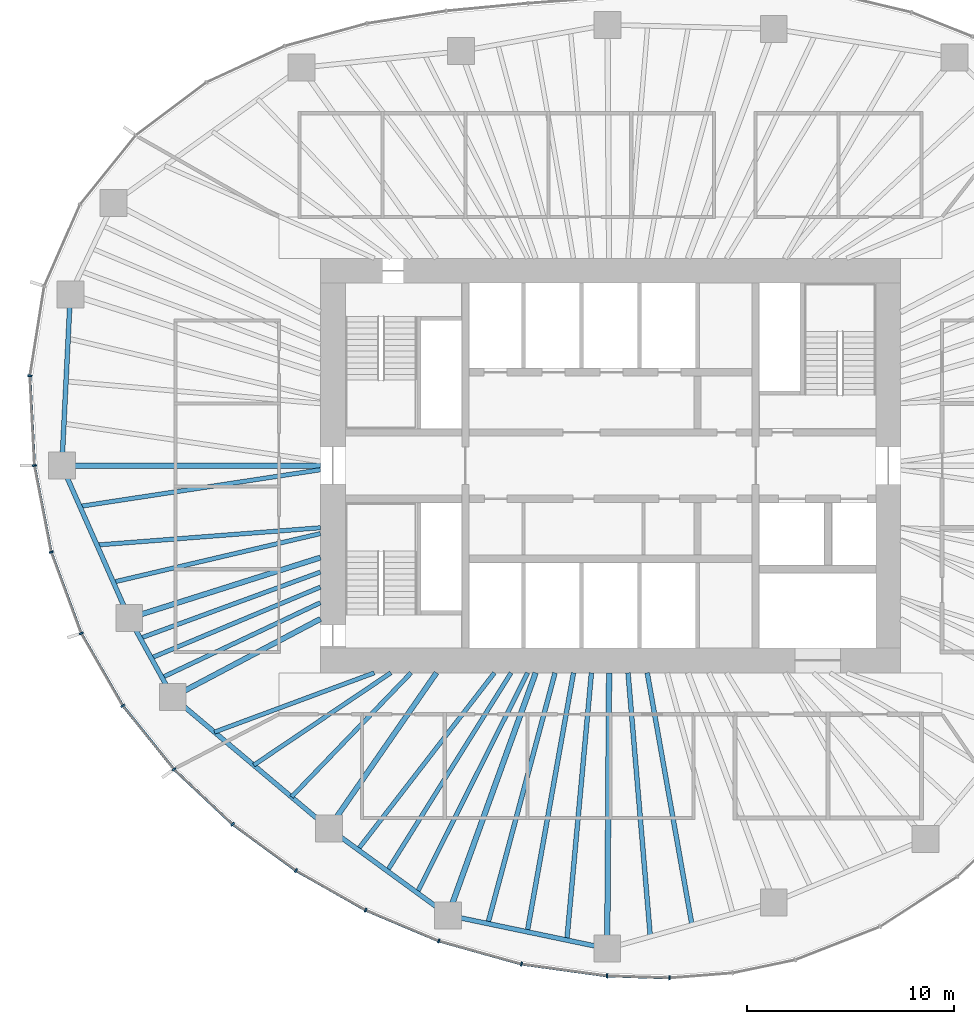
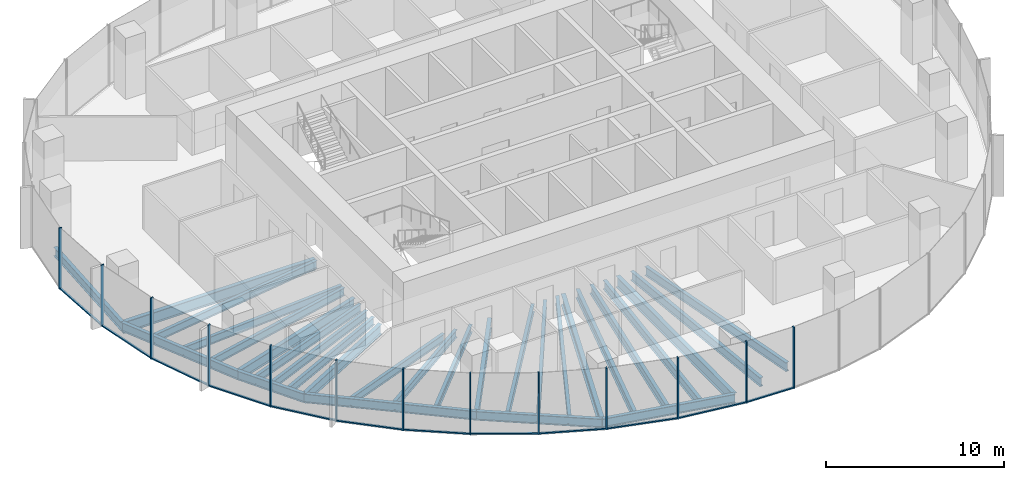
# One storey, part 2 of 12: 29 beams, 25 members, 7 elements without a shape of their own.
"""IFC4 building model written with IfcOpenShell, lengths in metres."""

from ifc_helpers import new_model, si_unit, direction, frame, origin, origin_2d, place, context, subcontext, project, spatial, rectangle, i_section, extrude, material, material_profile, profile_set, type_object, element, aggregate, save


model = new_model("IFC4")

# Units and contexts
model_context = context("Model", 3, precision=1e-05, world=origin(), true_north=direction((0.0, 1.0)))
body_context = subcontext(model_context, "Body", "Model", "MODEL_VIEW")
ifc_project = project(units=[si_unit("LENGTHUNIT", "METRE"), si_unit("AREAUNIT", "SQUARE_METRE"), si_unit("VOLUMEUNIT", "CUBIC_METRE"), si_unit("PLANEANGLEUNIT", "RADIAN"), si_unit("MASSUNIT", "GRAM", prefix="KILO")], contexts=[model_context])

# Site, building, storey
site_placement = place(None, origin())
site = spatial("IfcSite", under=ifc_project, at=site_placement, CompositionType="ELEMENT")
building_placement = place(site_placement, origin())
building = spatial("IfcBuilding", under=site, at=building_placement, Name="Ghaith Harvest Tower", CompositionType="ELEMENT")
storey_placement = place(building_placement, frame((0.0, 0.0, 207.39990234375)))
storey = spatial("IfcBuildingStorey", under=building, at=storey_placement, Name="L45", CompositionType="ELEMENT", Elevation=207.39990234375)

# Curtain wall, member
ifc_material_1 = material(Name="Black anodised aluminium and fritted glass", Category="aluminium")
curtain_wall_type = type_object("IfcCurtainWallType", Name="CW-H CURTAIN WALL", PredefinedType="NOTDEFINED", material=ifc_material_1)
curtain_wall_1_placement = place(storey_placement, origin())
curtain_wall_1 = element("IfcCurtainWall", 1, at=curtain_wall_1_placement, inside=storey, type_object=curtain_wall_type, Name="Curtain wall CW-H bay 10 L45", PredefinedType="NOTDEFINED")
ifc_material_2 = material(Name="Aluminium, black anodised", Category="aluminium")
ifc_material_profile_1 = material_profile(ifc_material_2, rectangle(XDim=0.080078125, YDim=0.199951171875, at=origin_2d()), Name="CW-H MULLION 80x200")
ifc_profile_set_1 = profile_set([ifc_material_profile_1], Name="Aluminium, black anodised")
member_type_1 = type_object("IfcMemberType", Name="CW-H MULLION 80x200", PredefinedType="MULLION", material=ifc_profile_set_1)
member_1_placement = place(storey_placement, frame((-28.015869140625, 4.333251953125, 0.0), z_axis=(0.0, 0.0, 1.0), x_axis=(-0.054116047044, -0.998534653105, 0.0)))
member_1 = element("IfcMember", 2, at=member_1_placement, type_object=member_type_1, Name="CW-H mullion 2 bay 10 L45", PredefinedType="MULLION", context=body_context, shape_type="SweptSolid", body=[
    extrude(rectangle(XDim=0.080078125, YDim=0.199951171875, at=origin_2d()), origin(), (0.0, 0.0, 1.0), 4.2001953125),
])

# Curtain wall, members
curtain_wall_2_placement = place(storey_placement, origin())
curtain_wall_2 = element("IfcCurtainWall", 3, at=curtain_wall_2_placement, inside=storey, type_object=curtain_wall_type, Name="Curtain wall CW-H bay 11 L45", PredefinedType="NOTDEFINED")
member_2_placement = place(storey_placement, frame((-27.794921875, 0.0, 0.0), z_axis=(0.0, 0.0, 1.0), x_axis=(0.12024996575, -0.992743645528, 0.0)))
member_2 = element("IfcMember", 4, at=member_2_placement, type_object=member_type_1, Name="CW-H mullion 1 bay 11 L45", PredefinedType="MULLION", context=body_context, shape_type="SweptSolid", body=[
    extrude(rectangle(XDim=0.080078125, YDim=0.199951171875, at=origin_2d()), origin(), (0.0, 0.0, 1.0), 4.2001953125),
])
member_3_placement = place(storey_placement, frame((-26.9853515625, -4.173828125, 0.0), z_axis=(0.0, 0.0, 1.0), x_axis=(0.268568830903, -0.963260495955, 0.0)))
member_3 = element("IfcMember", 5, at=member_3_placement, type_object=member_type_1, Name="CW-H mullion 2 bay 11 L45", PredefinedType="MULLION", context=body_context, shape_type="SweptSolid", body=[
    extrude(rectangle(XDim=0.080078125, YDim=0.199951171875, at=origin_2d()), origin(), (0.0, 0.0, 1.0), 4.2001953125),
])

curtain_wall_3_placement = place(storey_placement, origin())
curtain_wall_3 = element("IfcCurtainWall", 6, at=curtain_wall_3_placement, inside=storey, type_object=curtain_wall_type, Name="Curtain wall CW-H bay 12 L45", PredefinedType="NOTDEFINED")
member_4_placement = place(storey_placement, frame((-25.538330078125, -8.093505859375, 0.0), z_axis=(0.0, 0.0, 1.0), x_axis=(0.422308650185, -0.906452096903, 0.0)))
member_4 = element("IfcMember", 7, at=member_4_placement, type_object=member_type_1, Name="CW-H mullion 1 bay 12 L45", PredefinedType="MULLION", context=body_context, shape_type="SweptSolid", body=[
    extrude(rectangle(XDim=0.080078125, YDim=0.199951171875, at=origin_2d()), origin(), (0.0, 0.0, 1.0), 4.2001953125),
])
member_5_placement = place(storey_placement, frame((-23.533203125, -11.58349609375, 0.0), z_axis=(0.0, 0.0, 1.0), x_axis=(0.563616546013, -0.826036554312, 0.0)))
member_5 = element("IfcMember", 8, at=member_5_placement, type_object=member_type_1, Name="CW-H mullion 2 bay 12 L45", PredefinedType="MULLION", context=body_context, shape_type="SweptSolid", body=[
    extrude(rectangle(XDim=0.080078125, YDim=0.199951171875, at=origin_2d()), origin(), (0.0, 0.0, 1.0), 4.2001953125),
])

curtain_wall_4_placement = place(storey_placement, origin())
curtain_wall_4 = element("IfcCurtainWall", 9, at=curtain_wall_4_placement, inside=storey, type_object=curtain_wall_type, Name="Curtain wall CW-H bay 13 L45", PredefinedType="NOTDEFINED")
member_6_placement = place(storey_placement, frame((-21.0615234375, -14.65478515625, 0.0), z_axis=(0.0, 0.0, 1.0), x_axis=(0.679181589754, -0.733970277422, 0.0)))
member_6 = element("IfcMember", 10, at=member_6_placement, type_object=member_type_1, Name="CW-H mullion 1 bay 13 L45", PredefinedType="MULLION", context=body_context, shape_type="SweptSolid", body=[
    extrude(rectangle(XDim=0.080078125, YDim=0.199951171875, at=origin_2d()), origin(), (0.0, 0.0, 1.0), 4.2001953125),
])
member_7_placement = place(storey_placement, frame((-18.238037109375, -17.30615234375, 0.0), z_axis=(0.0, 0.0, 1.0), x_axis=(0.769216709506, -0.638987991919, 0.0)))
member_7 = element("IfcMember", 11, at=member_7_placement, type_object=member_type_1, Name="CW-H mullion 2 bay 13 L45", PredefinedType="MULLION", context=body_context, shape_type="SweptSolid", body=[
    extrude(rectangle(XDim=0.080078125, YDim=0.199951171875, at=origin_2d()), origin(), (0.0, 0.0, 1.0), 4.2001953125),
])

curtain_wall_5_placement = place(storey_placement, origin())
curtain_wall_5 = element("IfcCurtainWall", 12, at=curtain_wall_5_placement, inside=storey, type_object=curtain_wall_type, Name="Curtain wall CW-H bay 14 L45", PredefinedType="NOTDEFINED")
member_8_placement = place(storey_placement, frame((-15.177490234375, -19.542724609375, 0.0), z_axis=(0.0, 0.0, 1.0), x_axis=(0.840233591157, -0.5422245958, 0.0)))
member_8 = element("IfcMember", 13, at=member_8_placement, type_object=member_type_1, Name="CW-H mullion 1 bay 14 L45", PredefinedType="MULLION", context=body_context, shape_type="SweptSolid", body=[
    extrude(rectangle(XDim=0.080078125, YDim=0.199951171875, at=origin_2d()), origin(), (0.0, 0.0, 1.0), 4.2001953125),
])
member_9_placement = place(storey_placement, frame((-11.815185546875, -21.45068359375, 0.0), z_axis=(0.0, 0.0, 1.0), x_axis=(0.896852966189, -0.442328788389, 0.0)))
member_9 = element("IfcMember", 14, at=member_9_placement, type_object=member_type_1, Name="CW-H mullion 2 bay 14 L45", PredefinedType="MULLION", context=body_context, shape_type="SweptSolid", body=[
    extrude(rectangle(XDim=0.080078125, YDim=0.199951171875, at=origin_2d()), origin(), (0.0, 0.0, 1.0), 4.2001953125),
])

curtain_wall_6_placement = place(storey_placement, origin())
curtain_wall_6 = element("IfcCurtainWall", 15, at=curtain_wall_6_placement, inside=storey, type_object=curtain_wall_type, Name="Curtain wall CW-H bay 15 L45", PredefinedType="NOTDEFINED")
member_10_placement = place(storey_placement, frame((-8.285888671875, -22.941650390625, 0.0), z_axis=(0.0, 0.0, 1.0), x_axis=(0.944906041636, -0.327341675439, 0.0)))
member_10 = element("IfcMember", 16, at=member_10_placement, type_object=member_type_1, Name="CW-H mullion 1 bay 15 L45", PredefinedType="MULLION", context=body_context, shape_type="SweptSolid", body=[
    extrude(rectangle(XDim=0.080078125, YDim=0.199951171875, at=origin_2d()), origin(), (0.0, 0.0, 1.0), 4.2001953125),
])
member_11_placement = place(storey_placement, frame((-4.2958984375, -24.0556640625, 0.0), z_axis=(0.0, 0.0, 1.0), x_axis=(0.979161388311, -0.203083666601, 0.0)))
member_11 = element("IfcMember", 17, at=member_11_placement, type_object=member_type_1, Name="CW-H mullion 2 bay 15 L45", PredefinedType="MULLION", context=body_context, shape_type="SweptSolid", body=[
    extrude(rectangle(XDim=0.080078125, YDim=0.199951171875, at=origin_2d()), origin(), (0.0, 0.0, 1.0), 4.2001953125),
])

curtain_wall_7_placement = place(storey_placement, origin())
curtain_wall_7 = element("IfcCurtainWall", 18, at=curtain_wall_7_placement, inside=storey, type_object=curtain_wall_type, Name="Curtain wall CW-H bay 16 L45", PredefinedType="NOTDEFINED")
member_12_placement = place(storey_placement, frame((-0.16845703125, -24.625244140625, 0.0), z_axis=(0.0, 0.0, 1.0), x_axis=(0.99568459113, -0.092801912617, 0.0)))
member_12 = element("IfcMember", 19, at=member_12_placement, type_object=member_type_1, Name="CW-H mullion 1 bay 16 L45", PredefinedType="MULLION", context=body_context, shape_type="SweptSolid", body=[
    extrude(rectangle(XDim=0.080078125, YDim=0.199951171875, at=origin_2d()), origin(), (0.0, 0.0, 1.0), 4.2001953125),
])
member_13_placement = place(storey_placement, frame((2.84765625, -24.721435546875, 0.0), z_axis=(0.0, 0.0, 1.0), x_axis=(0.999724413906, 0.02347543907, 0.0)))
member_13 = element("IfcMember", 20, at=member_13_placement, type_object=member_type_1, Name="CW-H mullion 2 bay 16 L45", PredefinedType="MULLION", context=body_context, shape_type="SweptSolid", body=[
    extrude(rectangle(XDim=0.080078125, YDim=0.199951171875, at=origin_2d()), origin(), (0.0, 0.0, 1.0), 4.2001953125),
])

# Member
ifc_material_3 = material(Name="Aluminium, black anodised", Category="aluminium")
ifc_material_profile_2 = material_profile(ifc_material_3, rectangle(XDim=0.1298828125, YDim=0.080078125, at=origin_2d()), Name="CW-H TRANSOM 130x80")
ifc_profile_set_2 = profile_set([ifc_material_profile_2], Name="Aluminium, black anodised")
member_type_2 = type_object("IfcMemberType", Name="CW-H TRANSOM 130x80", PredefinedType="USERDEFINED", material=ifc_profile_set_2)
member_14_placement = place(storey_placement, frame((-28.013671875, 4.293212890625, 0.0400390625), z_axis=(0.05084969311, -0.998706317548, 0.0), x_axis=(0.998706317548, 0.05084969311, 0.0)))
member_14 = element("IfcMember", 21, at=member_14_placement, type_object=member_type_2, Name="CW-H transom 2 bay 10 L45", ObjectType="TRANSOM", PredefinedType="USERDEFINED", context=body_context, shape_type="SweptSolid", body=[
    extrude(rectangle(XDim=0.1298828125, YDim=0.080078125, at=origin_2d()), origin(), (0.0, 0.0, 1.0), 4.2587890625),
])

aggregate(curtain_wall_1, [member_1, member_14])

member_15_placement = place(storey_placement, frame((-27.787353515625, -0.039306640625, 0.0400390625), z_axis=(0.190440428338, -0.981698753821, 0.0), x_axis=(0.981698753821, 0.190440428338, 0.0)))
member_15 = element("IfcMember", 22, at=member_15_placement, type_object=member_type_2, Name="CW-H transom 1 bay 11 L45", ObjectType="TRANSOM", PredefinedType="USERDEFINED", context=body_context, shape_type="SweptSolid", body=[
    extrude(rectangle(XDim=0.1298828125, YDim=0.080078125, at=origin_2d()), origin(), (0.0, 0.0, 1.0), 4.171630859375),
])

member_16_placement = place(storey_placement, frame((-26.971435546875, -4.21142578125, 0.0400390625), z_axis=(0.346287782987, -0.93812833416, 0.0), x_axis=(0.93812833416, 0.346287782987, 0.0)))
member_16 = element("IfcMember", 23, at=member_16_placement, type_object=member_type_2, Name="CW-H transom 2 bay 11 L45", ObjectType="TRANSOM", PredefinedType="USERDEFINED", context=body_context, shape_type="SweptSolid", body=[
    extrude(rectangle(XDim=0.1298828125, YDim=0.080078125, at=origin_2d()), origin(), (0.0, 0.0, 1.0), 4.098388671875),
])

aggregate(curtain_wall_2, [member_2, member_15, member_3, member_16])

member_17_placement = place(storey_placement, frame((-25.5185546875, -8.128173828125, 0.0400390625), z_axis=(0.498176929488, -0.86707539864, 0.0), x_axis=(0.86707539864, 0.498176929488, 0.0)))
member_17 = element("IfcMember", 24, at=member_17_placement, type_object=member_type_2, Name="CW-H transom 1 bay 12 L45", ObjectType="TRANSOM", PredefinedType="USERDEFINED", context=body_context, shape_type="SweptSolid", body=[
    extrude(rectangle(XDim=0.1298828125, YDim=0.080078125, at=origin_2d()), origin(), (0.0, 0.0, 1.0), 3.945068359375),
])

member_18_placement = place(storey_placement, frame((-23.508056640625, -11.61474609375, 0.0400390625), z_axis=(0.626958878139, -0.779052350694, 0.0), x_axis=(0.779052350694, 0.626958878139, 0.0)))
member_18 = element("IfcMember", 25, at=member_18_placement, type_object=member_type_2, Name="CW-H transom 2 bay 12 L45", ObjectType="TRANSOM", PredefinedType="USERDEFINED", context=body_context, shape_type="SweptSolid", body=[
    extrude(rectangle(XDim=0.1298828125, YDim=0.080078125, at=origin_2d()), origin(), (0.0, 0.0, 1.0), 3.862060546875),
])

aggregate(curtain_wall_3, [member_4, member_17, member_5, member_18])

member_19_placement = place(storey_placement, frame((-21.032470703125, -14.68212890625, 0.0400390625), z_axis=(0.729025183709, -0.684486874613, 0.0), x_axis=(0.684486874613, 0.729025183709, 0.0)))
member_19 = element("IfcMember", 26, at=member_19_placement, type_object=member_type_2, Name="CW-H transom 1 bay 13 L45", ObjectType="TRANSOM", PredefinedType="USERDEFINED", context=body_context, shape_type="SweptSolid", body=[
    extrude(rectangle(XDim=0.1298828125, YDim=0.080078125, at=origin_2d()), origin(), (0.0, 0.0, 1.0), 3.793212890625),
])

member_20_placement = place(storey_placement, frame((-18.20556640625, -17.32958984375, 0.0400390625), z_axis=(0.807368217185, -0.590047931849, 0.0), x_axis=(0.590047931849, 0.807368217185, 0.0)))
member_20 = element("IfcMember", 27, at=member_20_placement, type_object=member_type_2, Name="CW-H transom 2 bay 13 L45", ObjectType="TRANSOM", PredefinedType="USERDEFINED", context=body_context, shape_type="SweptSolid", body=[
    extrude(rectangle(XDim=0.1298828125, YDim=0.080078125, at=origin_2d()), origin(), (0.0, 0.0, 1.0), 3.710693359375),
])

aggregate(curtain_wall_4, [member_6, member_19, member_7, member_20])

member_21_placement = place(storey_placement, frame((-15.142822265625, -19.5625, 0.0400390625), z_axis=(0.869735291487, -0.493518513068, 0.0), x_axis=(0.493518513068, 0.869735291487, 0.0)))
member_21 = element("IfcMember", 28, at=member_21_placement, type_object=member_type_2, Name="CW-H transom 1 bay 14 L45", ObjectType="TRANSOM", PredefinedType="USERDEFINED", context=body_context, shape_type="SweptSolid", body=[
    extrude(rectangle(XDim=0.1298828125, YDim=0.080078125, at=origin_2d()), origin(), (0.0, 0.0, 1.0), 3.785888671875),
])

member_22_placement = place(storey_placement, frame((-11.7783203125, -21.46630859375, 0.0400390625), z_axis=(0.921182691948, -0.38913037411, 0.0), x_axis=(0.38913037411, 0.921182691948, 0.0)))
member_22 = element("IfcMember", 29, at=member_22_placement, type_object=member_type_2, Name="CW-H transom 2 bay 14 L45", ObjectType="TRANSOM", PredefinedType="USERDEFINED", context=body_context, shape_type="SweptSolid", body=[
    extrude(rectangle(XDim=0.1298828125, YDim=0.080078125, at=origin_2d()), origin(), (0.0, 0.0, 1.0), 3.751220703125),
])

aggregate(curtain_wall_5, [member_8, member_21, member_9, member_22])

member_23_placement = place(storey_placement, frame((-8.24755859375, -22.952392578125, 0.0400390625), z_axis=(0.963164092269, -0.268914356932, 0.0), x_axis=(0.268914356932, 0.963164092269, 0.0)))
member_23 = element("IfcMember", 30, at=member_23_placement, type_object=member_type_2, Name="CW-H transom 1 bay 15 L45", ObjectType="TRANSOM", PredefinedType="USERDEFINED", context=body_context, shape_type="SweptSolid", body=[
    extrude(rectangle(XDim=0.1298828125, YDim=0.080078125, at=origin_2d()), origin(), (0.0, 0.0, 1.0), 4.062744140625),
])

member_24_placement = place(storey_placement, frame((-4.25634765625, -24.06103515625, 0.0400390625), z_axis=(0.990605228149, -0.136752630555, 0.0), x_axis=(0.136752630555, 0.990605228149, 0.0)))
member_24 = element("IfcMember", 31, at=member_24_placement, type_object=member_type_2, Name="CW-H transom 2 bay 15 L45", ObjectType="TRANSOM", PredefinedType="USERDEFINED", context=body_context, shape_type="SweptSolid", body=[
    extrude(rectangle(XDim=0.1298828125, YDim=0.080078125, at=origin_2d()), origin(), (0.0, 0.0, 1.0), 4.08642578125),
])

aggregate(curtain_wall_6, [member_10, member_23, member_11, member_24])

member_25_placement = place(storey_placement, frame((-0.128662109375, -24.62646484375, 0.0400390625), z_axis=(0.999490770233, -0.031909249731, 0.0), x_axis=(0.031909249731, 0.999490770233, 0.0)))
member_25 = element("IfcMember", 32, at=member_25_placement, type_object=member_type_2, Name="CW-H transom 1 bay 16 L45", ObjectType="TRANSOM", PredefinedType="USERDEFINED", context=body_context, shape_type="SweptSolid", body=[
    extrude(rectangle(XDim=0.1298828125, YDim=0.080078125, at=origin_2d()), origin(), (0.0, 0.0, 1.0), 2.93798828125),
])

aggregate(curtain_wall_7, [member_12, member_25, member_13])

# Beams
ifc_material_4 = material(Name="Steel ASTM A992 Grade 50", Category="steel")
ifc_material_profile_3 = material_profile(ifc_material_4, i_section(OverallWidth=0.22900390625, OverallDepth=0.612060546875, WebThickness=0.011962890625, FlangeThickness=0.01953125, at=origin_2d()), Name="W610X125")
ifc_profile_set_3 = profile_set([ifc_material_profile_3], Name="Steel ASTM A992 Grade 50")
beam_type_1 = type_object("IfcBeamType", Name="E610-125 W610X125", PredefinedType="SPANDREL", material=ifc_profile_set_3)
beam_1_placement = place(storey_placement, frame((-26.06689453125, 8.260986328125, -0.475830078125), z_axis=(-0.049353148492, -0.998781390863, 0.0), x_axis=(0.998781390863, -0.049353148492, 0.0)))
element("IfcBeam", 33, at=beam_1_placement, inside=storey, type_object=beam_type_1, Name="Edge beam E10 L45", PredefinedType="SPANDREL", context=body_context, shape_type="SweptSolid", body=[
    extrude(i_section(OverallWidth=0.22900390625, OverallDepth=0.612060546875, WebThickness=0.011962890625, FlangeThickness=0.01953125, at=origin_2d()), origin(), (0.0, 0.0, 1.0), 8.27099609375),
])
beam_2_placement = place(storey_placement, frame((-26.47509765625, 0.0, -0.475830078125), z_axis=(0.404042817399, -0.914740073304, 0.0), x_axis=(0.914740073304, 0.404042817399, 0.0)))
element("IfcBeam", 34, at=beam_2_placement, inside=storey, type_object=beam_type_1, Name="Edge beam E11 L45", PredefinedType="SPANDREL", context=body_context, shape_type="SweptSolid", body=[
    extrude(i_section(OverallWidth=0.22900390625, OverallDepth=0.612060546875, WebThickness=0.011962890625, FlangeThickness=0.01953125, at=origin_2d()), origin(), (0.0, 0.0, 1.0), 8.046142578125),
])
beam_3_placement = place(storey_placement, frame((-23.22412109375, -7.360107421875, -0.475830078125), z_axis=(0.482955575345, -0.875644855089, 0.0), x_axis=(0.875644855089, 0.482955575345, 0.0)))
element("IfcBeam", 35, at=beam_3_placement, inside=storey, type_object=beam_type_1, Name="Edge beam E12 L45", PredefinedType="SPANDREL", context=body_context, shape_type="SweptSolid", body=[
    extrude(i_section(OverallWidth=0.22900390625, OverallDepth=0.612060546875, WebThickness=0.011962890625, FlangeThickness=0.01953125, at=origin_2d()), origin(), (0.0, 0.0, 1.0), 4.346435546875),
])
beam_4_placement = place(storey_placement, frame((-21.125, -11.166015625, -0.475830078125), z_axis=(0.765021818761, -0.64400436087, 0.0), x_axis=(0.64400436087, 0.765021818761, 0.0)))
element("IfcBeam", 36, at=beam_4_placement, inside=storey, type_object=beam_type_1, Name="Edge beam E13 L45", PredefinedType="SPANDREL", context=body_context, shape_type="SweptSolid", body=[
    extrude(i_section(OverallWidth=0.22900390625, OverallDepth=0.612060546875, WebThickness=0.011962890625, FlangeThickness=0.01953125, at=origin_2d()), origin(), (0.0, 0.0, 1.0), 9.8427734375),
])
beam_5_placement = place(storey_placement, frame((-13.594970703125, -17.5048828125, -0.475830078125), z_axis=(0.808194782503, -0.588915268553, 0.0), x_axis=(0.588915268553, 0.808194782503, 0.0)))
element("IfcBeam", 37, at=beam_5_placement, inside=storey, type_object=beam_type_1, Name="Edge beam E14 L45", PredefinedType="SPANDREL", context=body_context, shape_type="SweptSolid", body=[
    extrude(i_section(OverallWidth=0.22900390625, OverallDepth=0.612060546875, WebThickness=0.011962890625, FlangeThickness=0.01953125, at=origin_2d()), origin(), (0.0, 0.0, 1.0), 7.123291015625),
])
beam_6_placement = place(storey_placement, frame((-7.837890625, -21.699951171875, -0.475830078125), z_axis=(0.978847910797, -0.20458926543, 0.0), x_axis=(0.20458926543, 0.978847910797, 0.0)))
element("IfcBeam", 38, at=beam_6_placement, inside=storey, type_object=beam_type_1, Name="Edge beam E15 L45", PredefinedType="SPANDREL", context=body_context, shape_type="SweptSolid", body=[
    extrude(i_section(OverallWidth=0.22900390625, OverallDepth=0.612060546875, WebThickness=0.011962890625, FlangeThickness=0.01953125, at=origin_2d()), origin(), (0.0, 0.0, 1.0), 7.844970703125),
])
ifc_material_5 = material(Name="Steel ASTM A992 Grade 50", Category="steel")
ifc_material_profile_4 = material_profile(ifc_material_5, i_section(OverallWidth=0.256103515625, OverallDepth=0.693115234375, WebThickness=0.014404296875, FlangeThickness=0.023681640625, at=origin_2d()), Name="W690X170")
ifc_profile_set_4 = profile_set([ifc_material_profile_4], Name="Steel ASTM A992 Grade 50")
beam_type_2 = type_object("IfcBeamType", Name="G690-170 W690X170", PredefinedType="BEAM", material=ifc_profile_set_4)
beam_7_placement = place(storey_placement, frame((-14.0, -4.43701171875, -0.516357421875), z_axis=(-0.953279028151, -0.302091202267, 0.0), x_axis=(0.302091202267, -0.953279028151, 0.0)))
element("IfcBeam", 39, at=beam_7_placement, inside=storey, type_object=beam_type_2, Name="Radial girder G12 L45", PredefinedType="BEAM", context=body_context, shape_type="SweptSolid", body=[
    extrude(i_section(OverallWidth=0.256103515625, OverallDepth=0.693115234375, WebThickness=0.014404296875, FlangeThickness=0.023681640625, at=origin_2d()), origin(), (0.0, 0.0, 1.0), 9.67626953125),
])
beam_8_placement = place(storey_placement, frame((-14.0, -7.39990234375, -0.516357421875), z_axis=(-0.88409279474, -0.46731138472, 0.0), x_axis=(0.46731138472, -0.88409279474, 0.0)))
element("IfcBeam", 40, at=beam_8_placement, inside=storey, type_object=beam_type_2, Name="Radial girder G13 L45", PredefinedType="BEAM", context=body_context, shape_type="SweptSolid", body=[
    extrude(i_section(OverallWidth=0.256103515625, OverallDepth=0.693115234375, WebThickness=0.014404296875, FlangeThickness=0.023681640625, at=origin_2d()), origin(), (0.0, 0.0, 1.0), 8.05908203125),
])
beam_9_placement = place(storey_placement, frame((-8.39990234375, -10.0, -0.516357421875), z_axis=(-0.569164078909, -0.822223966617, 0.0), x_axis=(0.822223966617, -0.569164078909, 0.0)))
element("IfcBeam", 41, at=beam_9_placement, inside=storey, type_object=beam_type_2, Name="Radial girder G14 L45", PredefinedType="BEAM", context=body_context, shape_type="SweptSolid", body=[
    extrude(i_section(OverallWidth=0.256103515625, OverallDepth=0.693115234375, WebThickness=0.014404296875, FlangeThickness=0.023681640625, at=origin_2d()), origin(), (0.0, 0.0, 1.0), 9.12744140625),
])
ifc_material_6 = material(Name="Steel ASTM A992 Grade 50", Category="steel")
ifc_material_profile_5 = material_profile(ifc_material_6, i_section(OverallWidth=0.26806640625, OverallDepth=0.77001953125, WebThickness=0.015625, FlangeThickness=0.025390625, at=origin_2d()), Name="W760X196")
ifc_profile_set_5 = profile_set([ifc_material_profile_5], Name="Steel ASTM A992 Grade 50")
beam_type_3 = type_object("IfcBeamType", Name="G760-196 W760X196", PredefinedType="BEAM", material=ifc_profile_set_5)
beam_10_placement = place(storey_placement, frame((-14.0, 0.0, -0.554931640625), z_axis=(-1.0, 0.0, 0.0), x_axis=(0.0, -1.0, 0.0)))
element("IfcBeam", 42, at=beam_10_placement, inside=storey, type_object=beam_type_3, Name="Radial girder G11 L45", PredefinedType="BEAM", context=body_context, shape_type="SweptSolid", body=[
    extrude(i_section(OverallWidth=0.26806640625, OverallDepth=0.77001953125, WebThickness=0.015625, FlangeThickness=0.025390625, at=origin_2d()), origin(), (0.0, 0.0, 1.0), 12.47509765625),
])
beam_11_placement = place(storey_placement, frame((-3.61181640625, -10.0, -0.554931640625), z_axis=(-0.339722108335, -0.940525857756, 0.0), x_axis=(0.940525857756, -0.339722108335, 0.0)))
element("IfcBeam", 43, at=beam_11_placement, inside=storey, type_object=beam_type_3, Name="Radial girder G15 L45", PredefinedType="BEAM", context=body_context, shape_type="SweptSolid", body=[
    extrude(i_section(OverallWidth=0.26806640625, OverallDepth=0.77001953125, WebThickness=0.015625, FlangeThickness=0.025390625, at=origin_2d()), origin(), (0.0, 0.0, 1.0), 12.439697265625),
])
beam_12_placement = place(storey_placement, frame((-0.068359375, -10.0, -0.554931640625), z_axis=(-0.00680755644, -0.999976828319, 0.0), x_axis=(0.999976828319, -0.00680755644, 0.0)))
element("IfcBeam", 44, at=beam_12_placement, inside=storey, type_object=beam_type_3, Name="Radial girder G16 L45", PredefinedType="BEAM", context=body_context, shape_type="SweptSolid", body=[
    extrude(i_section(OverallWidth=0.26806640625, OverallDepth=0.77001953125, WebThickness=0.015625, FlangeThickness=0.025390625, at=origin_2d()), origin(), (0.0, 0.0, 1.0), 13.30517578125),
])
ifc_material_7 = material(Name="Steel ASTM A992 Grade 50", Category="steel")
ifc_material_profile_6 = material_profile(ifc_material_7, i_section(OverallWidth=0.2109375, OverallDepth=0.5390625, WebThickness=0.01171875, FlangeThickness=0.018798828125, at=origin_2d()), Name="W530X109")
ifc_profile_set_6 = profile_set([ifc_material_profile_6], Name="Steel ASTM A992 Grade 50")
beam_type_4 = type_object("IfcBeamType", Name="J530-109 W530X109", PredefinedType="JOIST", material=ifc_profile_set_6)
beam_13_placement = place(storey_placement, frame((-14.0, -0.199951171875, -0.439453125), z_axis=(-0.988587077715, -0.150650555178, 0.0), x_axis=(0.150650555178, -0.988587077715, 0.0)))
element("IfcBeam", 45, at=beam_13_placement, inside=storey, type_object=beam_type_4, Name="Joist J11.1 L45", PredefinedType="JOIST", context=body_context, shape_type="SweptSolid", body=[
    extrude(i_section(OverallWidth=0.2109375, OverallDepth=0.5390625, WebThickness=0.01171875, FlangeThickness=0.018798828125, at=origin_2d()), origin(), (0.0, 0.0, 1.0), 11.739501953125),
])
beam_14_placement = place(storey_placement, frame((-14.0, -3.0, -0.439453125), z_axis=(-0.997028799301, -0.077029691443, 0.0), x_axis=(0.077029691443, -0.997028799301, 0.0)))
element("IfcBeam", 46, at=beam_14_placement, inside=storey, type_object=beam_type_4, Name="Joist J11.2 L45", PredefinedType="JOIST", context=body_context, shape_type="SweptSolid", body=[
    extrude(i_section(OverallWidth=0.2109375, OverallDepth=0.5390625, WebThickness=0.01171875, FlangeThickness=0.018798828125, at=origin_2d()), origin(), (0.0, 0.0, 1.0), 10.814208984375),
])
beam_15_placement = place(storey_placement, frame((-14.0, -3.280517578125, -0.439453125), z_axis=(-0.97362176086, -0.22816806696, 0.0), x_axis=(0.22816806696, -0.97362176086, 0.0)))
element("IfcBeam", 47, at=beam_15_placement, inside=storey, type_object=beam_type_4, Name="Joist J11.3 L45", PredefinedType="JOIST", context=body_context, shape_type="SweptSolid", body=[
    extrude(i_section(OverallWidth=0.2109375, OverallDepth=0.5390625, WebThickness=0.01171875, FlangeThickness=0.018798828125, at=origin_2d()), origin(), (0.0, 0.0, 1.0), 10.262451171875),
])
beam_16_placement = place(storey_placement, frame((-5.60009765625, -10.0, -0.439453125), z_axis=(-0.611412687895, -0.791311901264, 0.0), x_axis=(0.791311901264, -0.611412687895, 0.0)))
element("IfcBeam", 48, at=beam_16_placement, inside=storey, type_object=beam_type_4, Name="Joist J14.1 L45", PredefinedType="JOIST", context=body_context, shape_type="SweptSolid", body=[
    extrude(i_section(OverallWidth=0.2109375, OverallDepth=0.5390625, WebThickness=0.01171875, FlangeThickness=0.018798828125, at=origin_2d()), origin(), (0.0, 0.0, 1.0), 10.778076171875),
])
beam_17_placement = place(storey_placement, frame((-4.800048828125, -10.0, -0.439453125), z_axis=(-0.529921073682, -0.848046965484, 0.0), x_axis=(0.848046965484, -0.529921073682, 0.0)))
element("IfcBeam", 49, at=beam_17_placement, inside=storey, type_object=beam_type_4, Name="Joist J14.2 L45", PredefinedType="JOIST", context=body_context, shape_type="SweptSolid", body=[
    extrude(i_section(OverallWidth=0.2109375, OverallDepth=0.5390625, WebThickness=0.01171875, FlangeThickness=0.018798828125, at=origin_2d()), origin(), (0.0, 0.0, 1.0), 11.273681640625),
])
beam_18_placement = place(storey_placement, frame((-4.0, -10.0, -0.439453125), z_axis=(-0.448791718068, -0.893636387908, 0.0), x_axis=(0.893636387908, -0.448791718068, 0.0)))
element("IfcBeam", 50, at=beam_18_placement, inside=storey, type_object=beam_type_4, Name="Joist J14.3 L45", PredefinedType="JOIST", context=body_context, shape_type="SweptSolid", body=[
    extrude(i_section(OverallWidth=0.2109375, OverallDepth=0.5390625, WebThickness=0.01171875, FlangeThickness=0.018798828125, at=origin_2d()), origin(), (0.0, 0.0, 1.0), 11.8759765625),
])
ifc_material_8 = material(Name="Steel ASTM A992 Grade 50", Category="steel")
ifc_material_profile_7 = material_profile(ifc_material_8, i_section(OverallWidth=0.208984375, OverallDepth=0.532958984375, WebThickness=0.01025390625, FlangeThickness=0.015625, at=origin_2d()), Name="W530X92")
ifc_profile_set_7 = profile_set([ifc_material_profile_7], Name="Steel ASTM A992 Grade 50")
beam_type_5 = type_object("IfcBeamType", Name="J530-92 W530X92", PredefinedType="JOIST", material=ifc_profile_set_7)
beam_19_placement = place(storey_placement, frame((-14.0, -5.137939453125, -0.4365234375), z_axis=(-0.93877284801, -0.34453670318, 0.0), x_axis=(0.34453670318, -0.93877284801, 0.0)))
element("IfcBeam", 51, at=beam_19_placement, inside=storey, type_object=beam_type_5, Name="Joist J12.1 L45", PredefinedType="JOIST", context=body_context, shape_type="SweptSolid", body=[
    extrude(i_section(OverallWidth=0.208984375, OverallDepth=0.532958984375, WebThickness=0.01025390625, FlangeThickness=0.015625, at=origin_2d()), origin(), (0.0, 0.0, 1.0), 9.25732421875),
])
beam_20_placement = place(storey_placement, frame((-14.0, -5.862548828125, -0.4365234375), z_axis=(-0.922387515293, -0.386265804377, 0.0), x_axis=(0.386265804377, -0.922387515293, 0.0)))
element("IfcBeam", 52, at=beam_20_placement, inside=storey, type_object=beam_type_5, Name="Joist J12.2 L45", PredefinedType="JOIST", context=body_context, shape_type="SweptSolid", body=[
    extrude(i_section(OverallWidth=0.208984375, OverallDepth=0.532958984375, WebThickness=0.01025390625, FlangeThickness=0.015625, at=origin_2d()), origin(), (0.0, 0.0, 1.0), 8.851318359375),
])
beam_21_placement = place(storey_placement, frame((-14.0, -6.614990234375, -0.4365234375), z_axis=(-0.90415786724, -0.427198491462, 0.0), x_axis=(0.427198491462, -0.90415786724, 0.0)))
element("IfcBeam", 53, at=beam_21_placement, inside=storey, type_object=beam_type_5, Name="Joist J12.3 L45", PredefinedType="JOIST", context=body_context, shape_type="SweptSolid", body=[
    extrude(i_section(OverallWidth=0.208984375, OverallDepth=0.532958984375, WebThickness=0.01025390625, FlangeThickness=0.015625, at=origin_2d()), origin(), (0.0, 0.0, 1.0), 8.45361328125),
])
beam_22_placement = place(storey_placement, frame((-11.39990234375, -10.0, -0.4365234375), z_axis=(-0.937594001899, -0.34773191916, 0.0), x_axis=(0.34773191916, -0.937594001899, 0.0)))
element("IfcBeam", 54, at=beam_22_placement, inside=storey, type_object=beam_type_5, Name="Joist J13.1 L45", PredefinedType="JOIST", context=body_context, shape_type="SweptSolid", body=[
    extrude(i_section(OverallWidth=0.208984375, OverallDepth=0.532958984375, WebThickness=0.01025390625, FlangeThickness=0.015625, at=origin_2d()), origin(), (0.0, 0.0, 1.0), 8.225830078125),
])
beam_23_placement = place(storey_placement, frame((-10.60009765625, -10.0, -0.4365234375), z_axis=(-0.829594017544, -0.55836705316, 0.0), x_axis=(0.55836705316, -0.829594017544, 0.0)))
element("IfcBeam", 55, at=beam_23_placement, inside=storey, type_object=beam_type_5, Name="Joist J13.2 L45", PredefinedType="JOIST", context=body_context, shape_type="SweptSolid", body=[
    extrude(i_section(OverallWidth=0.208984375, OverallDepth=0.532958984375, WebThickness=0.01025390625, FlangeThickness=0.015625, at=origin_2d()), origin(), (0.0, 0.0, 1.0), 7.977783203125),
])
beam_24_placement = place(storey_placement, frame((-9.626708984375, -10.0, -0.4365234375), z_axis=(-0.693546892509, -0.720411485119, 0.0), x_axis=(0.720411485119, -0.693546892509, 0.0)))
element("IfcBeam", 56, at=beam_24_placement, inside=storey, type_object=beam_type_5, Name="Joist J13.3 L45", PredefinedType="JOIST", context=body_context, shape_type="SweptSolid", body=[
    extrude(i_section(OverallWidth=0.208984375, OverallDepth=0.532958984375, WebThickness=0.01025390625, FlangeThickness=0.015625, at=origin_2d()), origin(), (0.0, 0.0, 1.0), 8.3154296875),
])
ifc_material_9 = material(Name="Steel ASTM A992 Grade 50", Category="steel")
ifc_material_profile_8 = material_profile(ifc_material_9, i_section(OverallWidth=0.22900390625, OverallDepth=0.612060546875, WebThickness=0.011962890625, FlangeThickness=0.01953125, at=origin_2d()), Name="W610X125")
ifc_profile_set_8 = profile_set([ifc_material_profile_8], Name="Steel ASTM A992 Grade 50")
beam_type_6 = type_object("IfcBeamType", Name="J610-125 W610X125", PredefinedType="JOIST", material=ifc_profile_set_8)
beam_25_placement = place(storey_placement, frame((-2.677978515625, -10.0, -0.475830078125), z_axis=(-0.258683807585, -0.965962052926, 0.0), x_axis=(0.965962052926, -0.258683807585, 0.0)))
element("IfcBeam", 57, at=beam_25_placement, inside=storey, type_object=beam_type_6, Name="Joist J15.1 L45", PredefinedType="JOIST", context=body_context, shape_type="SweptSolid", body=[
    extrude(i_section(OverallWidth=0.22900390625, OverallDepth=0.612060546875, WebThickness=0.011962890625, FlangeThickness=0.01953125, at=origin_2d()), origin(), (0.0, 0.0, 1.0), 12.52783203125),
])
beam_26_placement = place(storey_placement, frame((-1.785888671875, -10.0, -0.475830078125), z_axis=(-0.17579463172, -0.984426862422, 0.0), x_axis=(0.984426862422, -0.17579463172, 0.0)))
element("IfcBeam", 58, at=beam_26_placement, inside=storey, type_object=beam_type_6, Name="Joist J15.2 L45", PredefinedType="JOIST", context=body_context, shape_type="SweptSolid", body=[
    extrude(i_section(OverallWidth=0.22900390625, OverallDepth=0.612060546875, WebThickness=0.011962890625, FlangeThickness=0.01953125, at=origin_2d()), origin(), (0.0, 0.0, 1.0), 12.6962890625),
])
beam_27_placement = place(storey_placement, frame((-0.92041015625, -10.0, -0.475830078125), z_axis=(-0.091645483251, -0.995791697796, 0.0), x_axis=(0.995791697796, -0.091645483251, 0.0)))
element("IfcBeam", 59, at=beam_27_placement, inside=storey, type_object=beam_type_6, Name="Joist J15.3 L45", PredefinedType="JOIST", context=body_context, shape_type="SweptSolid", body=[
    extrude(i_section(OverallWidth=0.22900390625, OverallDepth=0.612060546875, WebThickness=0.011962890625, FlangeThickness=0.01953125, at=origin_2d()), origin(), (0.0, 0.0, 1.0), 12.9521484375),
])
beam_28_placement = place(storey_placement, frame((0.844970703125, -10.0, -0.475830078125), z_axis=(0.084217590158, -0.996447388229, 0.0), x_axis=(0.996447388229, 0.084217590158, 0.0)))
element("IfcBeam", 60, at=beam_28_placement, inside=storey, type_object=beam_type_6, Name="Joist J16.1 L45", PredefinedType="JOIST", context=body_context, shape_type="SweptSolid", body=[
    extrude(i_section(OverallWidth=0.22900390625, OverallDepth=0.612060546875, WebThickness=0.011962890625, FlangeThickness=0.01953125, at=origin_2d()), origin(), (0.0, 0.0, 1.0), 12.772705078125),
])
beam_29_placement = place(storey_placement, frame((1.772705078125, -10.0, -0.475830078125), z_axis=(0.174551600477, -0.984648027861, 0.0), x_axis=(0.984648027861, 0.174551600477, 0.0)))
element("IfcBeam", 61, at=beam_29_placement, inside=storey, type_object=beam_type_6, Name="Joist J16.2 L45", PredefinedType="JOIST", context=body_context, shape_type="SweptSolid", body=[
    extrude(i_section(OverallWidth=0.22900390625, OverallDepth=0.612060546875, WebThickness=0.011962890625, FlangeThickness=0.01953125, at=origin_2d()), origin(), (0.0, 0.0, 1.0), 12.358642578125),
])

save(model, "model.ifc")
